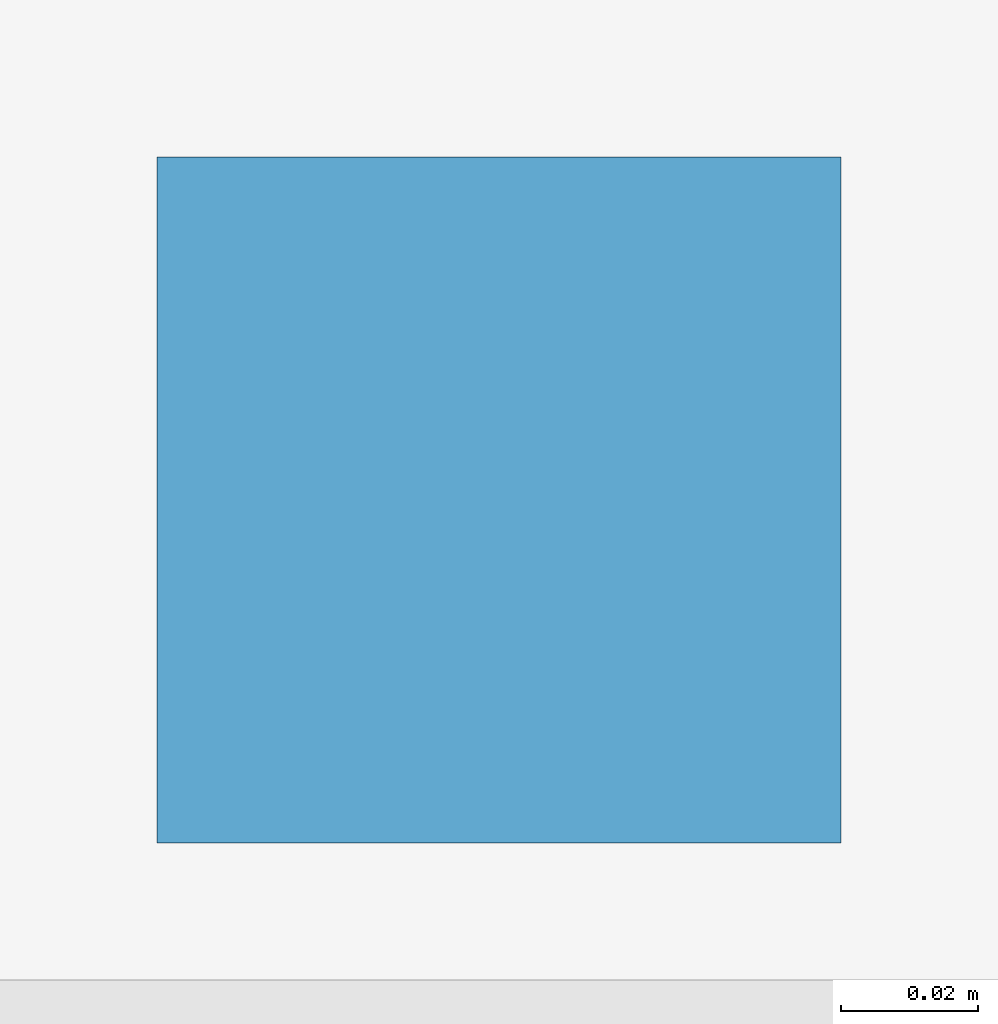
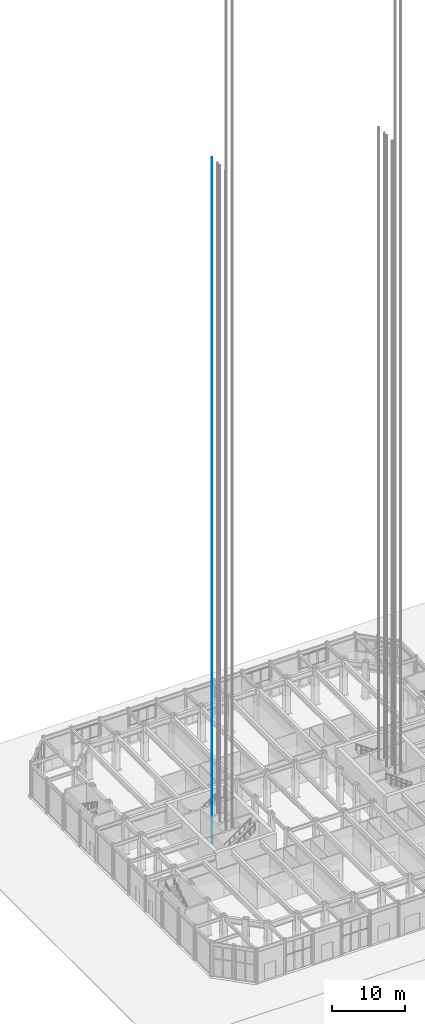
# One storey, part 29 of 39: 1 discrete accessory.
"""IFC4 building model written with IfcOpenShell, lengths in metres."""

from ifc_helpers import new_model, si_unit, direction, frame, origin, place, context, subcontext, project, spatial, polyline, outline, extrude, element, save


model = new_model("IFC4")

# Units and contexts
model_context = context("Model", 3, precision=1e-05, world=origin(), true_north=direction((0.0, 1.0)))
body_context = subcontext(model_context, "Body", "Model", "MODEL_VIEW")
ifc_project = project(units=[si_unit("LENGTHUNIT", "METRE"), si_unit("AREAUNIT", "SQUARE_METRE"), si_unit("VOLUMEUNIT", "CUBIC_METRE"), si_unit("PLANEANGLEUNIT", "RADIAN"), si_unit("MASSUNIT", "GRAM", prefix="KILO")], contexts=[model_context])

# Site, building, storey
site_placement = place(None, origin())
site = spatial("IfcSite", under=ifc_project, at=site_placement, CompositionType="ELEMENT")
building_placement = place(site_placement, origin())
building = spatial("IfcBuilding", under=site, at=building_placement, Name="Msasa Ring Tower", CompositionType="ELEMENT")
storey_placement = place(building_placement, origin())
storey = spatial("IfcBuildingStorey", under=building, at=storey_placement, Name="L00", CompositionType="ELEMENT", Elevation=0.0)

# Discrete accessory
discrete_accessory_placement = place(storey_placement, frame((0.0, 0.0, 0.050048828125)))
element("IfcDiscreteAccessory", 1, at=discrete_accessory_placement, inside=storey, Name="Lift guide rail 2 PL-X2", ObjectType="LIFT GUIDE RAIL", PredefinedType="USERDEFINED", context=body_context, shape_type="SweptSolid", body=[
    extrude(outline(polyline([(-13.27490234375, 2.77001953125), (-13.175048828125, 2.77001953125), (-13.175048828125, 2.8701171875), (-13.27490234375, 2.8701171875), (-13.27490234375, 2.77001953125)])), origin(), (0.0, 0.0, 1.0), 114.800048828125),
])

save(model, "model.ifc")
